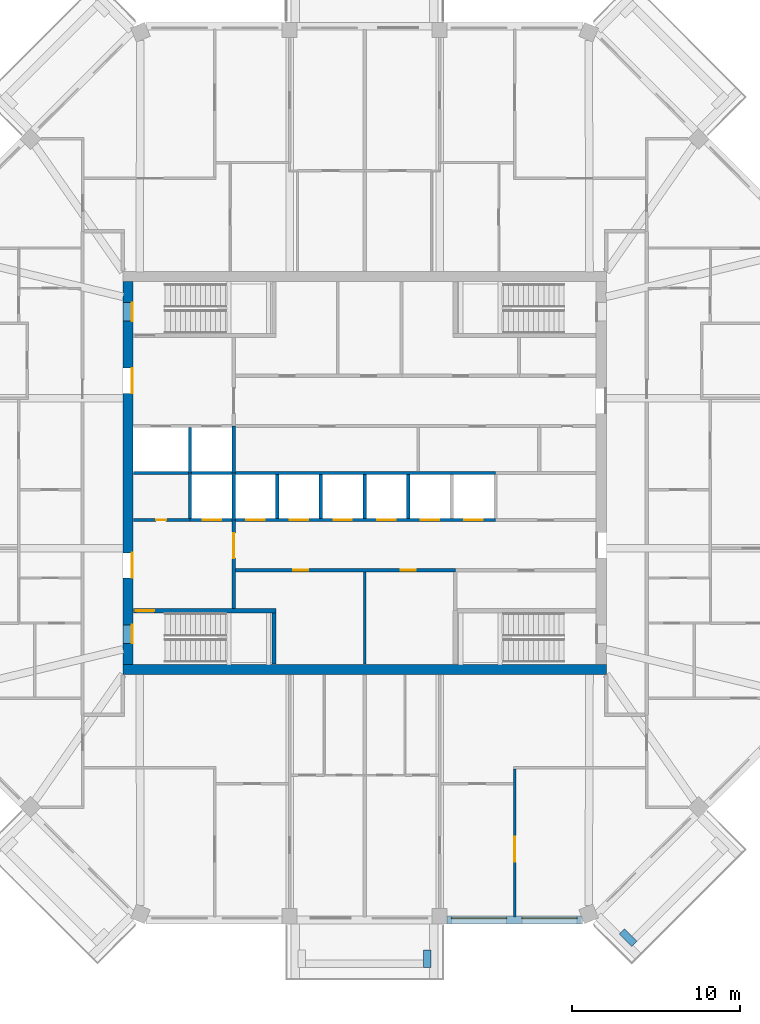
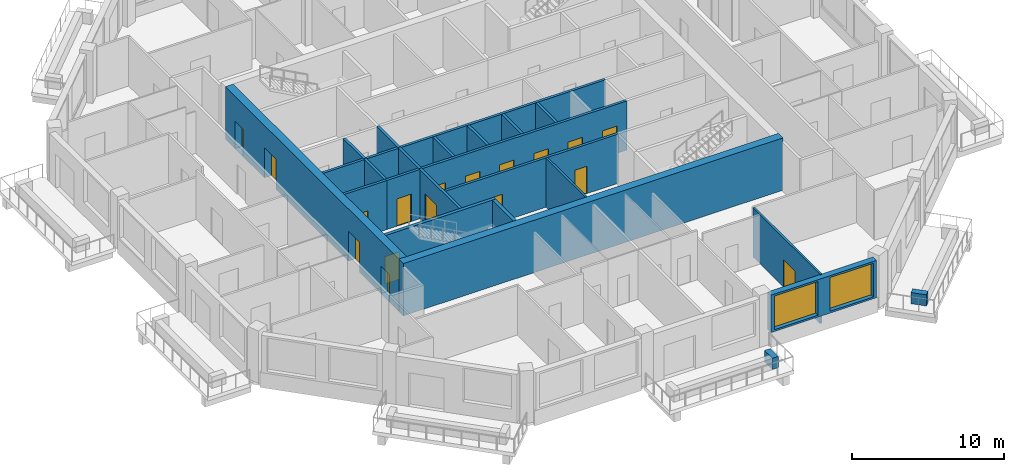
# One storey, part 4 of 12: 22 walls, 17 doors, 2 windows, 19 openings.
"""IFC4 building model written with IfcOpenShell, lengths in metres."""

from ifc_helpers import new_model, si_unit, direction, frame, frame_2d, origin, place, context, subcontext, project, spatial, rectangle, extrude, material, layer, layer_set, type_object, element, fill, save


model = new_model("IFC4")

# Units and contexts
model_context = context("Model", 3, precision=1e-05, world=origin(), true_north=direction((0.0, 1.0)))
body_context = subcontext(model_context, "Body", "Model", "MODEL_VIEW")
ifc_project = project(units=[si_unit("LENGTHUNIT", "METRE"), si_unit("AREAUNIT", "SQUARE_METRE"), si_unit("VOLUMEUNIT", "CUBIC_METRE"), si_unit("PLANEANGLEUNIT", "RADIAN"), si_unit("MASSUNIT", "GRAM", prefix="KILO")], contexts=[model_context])

# Site, building, storey
site_placement = place(None, origin())
site = spatial("IfcSite", under=ifc_project, at=site_placement, CompositionType="ELEMENT")
building_placement = place(site_placement, origin())
building = spatial("IfcBuilding", under=site, at=building_placement, Name="Msitu Wima Residences", CompositionType="ELEMENT")
storey_placement = place(building_placement, frame((0.0, 0.0, 239.10009765625)))
storey = spatial("IfcBuildingStorey", under=building, at=storey_placement, Name="L55", CompositionType="ELEMENT", Elevation=239.10009765625)

# Walls
ifc_material_1 = material(Name="Facing brick")
ifc_layer_1 = layer(ifc_material_1, 0.06494140625, Name="Facing brick")
ifc_material_2 = material(Name="Concrete C40/50", Category="concrete")
ifc_layer_2 = layer(ifc_material_2, 0.156005859375, Name="Concrete C40/50")
ifc_material_3 = material(Name="Waterproofing membrane")
ifc_layer_3 = layer(ifc_material_3, 0.00390625, Name="Waterproofing membrane")
ifc_material_4 = material(Name="Planting soil and planting")
ifc_layer_4 = layer(ifc_material_4, 0.22509765625, Name="Planting soil and planting")
ifc_layer_set_1 = layer_set([ifc_layer_1, ifc_layer_2, ifc_layer_3, ifc_layer_4], Name="Concrete C40/50")
wall_type_1 = type_object("IfcWallType", Name="Balcony planter PLANTER PL450", PredefinedType="USERDEFINED", material=ifc_layer_set_1)
for number, where, z_axis, x_axis, name in (
    (1, (3.74365234375, -28.39990234375, 0.0), (0.0, 0.0, 1.0), (0.0, -1.0, 0.0), "Balcony planter S1 L55"),
    (2, (15.332763671875, -27.301513671875, 0.0), (0.0, 0.0, 1.0), (0.707106781187, -0.707106781187, 0.0), "Balcony planter SE0 L55"),
):
    element("IfcWall", number, at=place(storey_placement, frame(where, z_axis=z_axis, x_axis=x_axis)), inside=storey, type_object=wall_type_1, Name=name, ObjectType="PLANTER", PredefinedType="USERDEFINED", context=body_context, shape_type="SweptSolid", body=[
        extrude(rectangle(XDim=1.050048828125, YDim=0.449951171875, at=frame_2d((0.52490234375, 0.0))), origin(), (0.0, 0.0, 1.0), 0.89990234375),
    ])

# Wall, openings, windows
ifc_material_5 = material(Name="Brick (red buff mix)", Category="masonry")
ifc_layer_5 = layer(ifc_material_5, 0.449951171875)
ifc_layer_set_2 = layer_set([ifc_layer_5], Name="Brick (red buff mix)")
wall_type_2 = type_object("IfcWallType", Name="Brick infill wall BW450", PredefinedType="SOLIDWALL", material=ifc_layer_set_2)
wall_1_placement = place(storey_placement, frame((4.918701171875, -26.625, 0.89990234375), z_axis=(0.0, 0.0, 1.0), x_axis=(1.0, 0.0, 0.0)))
wall_1 = element("IfcWall", 3, at=wall_1_placement, inside=storey, type_object=wall_type_2, Name="Brick infill wall L55 S2", PredefinedType="SOLIDWALL", context=body_context, shape_type="SweptSolid", body=[
    extrude(rectangle(XDim=8.0, YDim=0.449951171875, at=frame_2d((4.0, 0.0))), origin(), (0.0, 0.0, 1.0), 3.0),
])
opening_1_placement = place(wall_1_placement, frame((0.25, 0.0, 0.14990234375)))
opening_1 = element("IfcOpeningElement", 4, at=opening_1_placement, cuts=wall_1, Name="Opening W55-56.019", PredefinedType="OPENING", context=body_context, shape_type="SweptSolid", body=[
    extrude(rectangle(XDim=3.300048828125, YDim=2.699951171875, at=frame_2d((1.64990234375, 1.35009765625))), frame((0.0, 0.23486328125, 0.0), z_axis=(0.0, -1.0, 0.0), x_axis=(1.0, 0.0, 0.0)), (0.0, 0.0, 1.0), 0.469970703125),
])
opening_2_placement = place(wall_1_placement, frame((4.4501953125, 0.0, 0.14990234375)))
opening_2 = element("IfcOpeningElement", 5, at=opening_2_placement, cuts=wall_1, Name="Opening W55-56.020", PredefinedType="OPENING", context=body_context, shape_type="SweptSolid", body=[
    extrude(rectangle(XDim=3.300048828125, YDim=2.699951171875, at=frame_2d((1.64990234375, 1.35009765625))), frame((0.0, 0.23486328125, 0.0), z_axis=(0.0, -1.0, 0.0), x_axis=(1.0, 0.0, 0.0)), (0.0, 0.0, 1.0), 0.469970703125),
])
ifc_material_6 = material(Name="Anodised aluminium, bronze finish, clear low-emissivity double glazing", Category="aluminium")
window_type = type_object("IfcWindowType", Name="Window W3300x2700", PartitioningType="DOUBLE_PANEL_VERTICAL", PredefinedType="WINDOW", material=ifc_material_6)
window_1_placement = place(opening_1_placement, origin())
window_1 = element("IfcWindow", 6, at=window_1_placement, inside=storey, type_object=window_type, Name="Window L55 S2.1", OverallHeight=2.699951171875, OverallWidth=3.300048828125, PartitioningType="SINGLE_PANEL", PredefinedType="WINDOW", context=body_context, shape_type="SweptSolid", body=[
    extrude(rectangle(XDim=3.300048828125, YDim=2.699951171875, at=frame_2d((1.64990234375, 1.35009765625))), frame((0.0, 0.135009765625, 0.0), z_axis=(0.0, -1.0, 0.0), x_axis=(1.0, 0.0, 0.0)), (0.0, 0.0, 1.0), 0.06005859375),
])
fill(opening_1, window_1)
window_2_placement = place(opening_2_placement, origin())
window_2 = element("IfcWindow", 7, at=window_2_placement, inside=storey, type_object=window_type, Name="Window L55 S2.2", OverallHeight=2.699951171875, OverallWidth=3.300048828125, PartitioningType="SINGLE_PANEL", PredefinedType="WINDOW", context=body_context, shape_type="SweptSolid", body=[
    extrude(rectangle(XDim=3.300048828125, YDim=2.699951171875, at=frame_2d((1.64990234375, 1.35009765625))), frame((0.0, 0.135009765625, 0.0), z_axis=(0.0, -1.0, 0.0), x_axis=(1.0, 0.0, 0.0)), (0.0, 0.0, 1.0), 0.06005859375),
])
fill(opening_2, window_2)

# Wall
ifc_material_7 = material(Name="Concrete C50/60", Category="concrete")
ifc_layer_6 = layer(ifc_material_7, 0.60009765625)
ifc_layer_set_3 = layer_set([ifc_layer_6], Name="Concrete C50/60")
wall_type_3 = type_object("IfcWallType", Name="Core wall CW600 C50/60", PredefinedType="SHEAR", material=ifc_layer_set_3)
wall_2_placement = place(storey_placement, frame((-14.39990234375, -11.699951171875, 0.0), z_axis=(0.0, 0.0, 1.0), x_axis=(1.0, 0.0, 0.0)))
element("IfcWall", 8, at=wall_2_placement, inside=storey, type_object=wall_type_3, Name="Core wall", PredefinedType="SHEAR", context=body_context, shape_type="SweptSolid", body=[
    extrude(rectangle(XDim=28.7998046875, YDim=0.60009765625, at=frame_2d((14.39990234375, 0.0))), origin(), (0.0, 0.0, 1.0), 4.199951171875),
])

# Wall, openings, doors
wall_3_placement = place(storey_placement, frame((-14.10009765625, -11.39990234375, 0.0), z_axis=(0.0, 0.0, 1.0), x_axis=(0.0, 1.0, 0.0)))
wall_3 = element("IfcWall", 9, at=wall_3_placement, inside=storey, type_object=wall_type_3, Name="Core wall", PredefinedType="SHEAR", context=body_context, shape_type="SweptSolid", body=[
    extrude(rectangle(XDim=22.7998046875, YDim=0.60009765625, at=frame_2d((11.39990234375, 0.0))), origin(), (0.0, 0.0, 1.0), 4.199951171875),
])
opening_3_placement = place(wall_3_placement, frame((20.449951171875, 0.0, 0.0)))
opening_3 = element("IfcOpeningElement", 10, at=opening_3_placement, cuts=wall_3, Name="Opening D55-56.077", PredefinedType="OPENING", context=body_context, shape_type="SweptSolid", body=[
    extrude(rectangle(XDim=1.10009765625, YDim=2.199951171875, at=frame_2d((0.550048828125, 1.10009765625))), frame((0.0, 0.31005859375, 0.0), z_axis=(0.0, -1.0, 0.0), x_axis=(1.0, 0.0, 0.0)), (0.0, 0.0, 1.0), 0.6201171875),
])
opening_4_placement = place(wall_3_placement, frame((1.25, 0.0, 0.0)))
opening_4 = element("IfcOpeningElement", 11, at=opening_4_placement, cuts=wall_3, Name="Opening D55-56.079", PredefinedType="OPENING", context=body_context, shape_type="SweptSolid", body=[
    extrude(rectangle(XDim=1.10009765625, YDim=2.199951171875, at=frame_2d((0.550048828125, 1.10009765625))), frame((0.0, 0.31005859375, 0.0), z_axis=(0.0, -1.0, 0.0), x_axis=(1.0, 0.0, 0.0)), (0.0, 0.0, 1.0), 0.6201171875),
])
opening_5_placement = place(wall_3_placement, frame((16.14990234375, 0.0, 0.0)))
opening_5 = element("IfcOpeningElement", 12, at=opening_5_placement, cuts=wall_3, Name="Opening D55-56.060", PredefinedType="OPENING", context=body_context, shape_type="SweptSolid", body=[
    extrude(rectangle(XDim=1.5, YDim=2.39990234375, at=frame_2d((0.75, 1.199951171875))), frame((0.0, 0.31005859375, 0.0), z_axis=(0.0, -1.0, 0.0), x_axis=(1.0, 0.0, 0.0)), (0.0, 0.0, 1.0), 0.6201171875),
])
opening_6_placement = place(wall_3_placement, frame((5.14990234375, 0.0, 0.0)))
opening_6 = element("IfcOpeningElement", 13, at=opening_6_placement, cuts=wall_3, Name="Opening D55-56.062", PredefinedType="OPENING", context=body_context, shape_type="SweptSolid", body=[
    extrude(rectangle(XDim=1.5, YDim=2.39990234375, at=frame_2d((0.75, 1.199951171875))), frame((0.0, 0.31005859375, 0.0), z_axis=(0.0, -1.0, 0.0), x_axis=(1.0, 0.0, 0.0)), (0.0, 0.0, 1.0), 0.6201171875),
])
ifc_material_8 = material(Name="Steel framed glazed door, fire resisting", Category="steel")
door_type_1 = type_object("IfcDoorType", Name="Lobby door D07 1500x2400", OperationType="DOUBLE_DOOR_SINGLE_SWING", PredefinedType="DOOR", material=ifc_material_8)
door_1_placement = place(opening_5_placement, origin())
door_1 = element("IfcDoor", 14, at=door_1_placement, inside=storey, type_object=door_type_1, Name="Lobby door", OperationType="DOUBLE_DOOR_SINGLE_SWING", OverallHeight=2.39990234375, OverallWidth=1.5, PredefinedType="DOOR", context=body_context, shape_type="SweptSolid", body=[
    extrude(rectangle(XDim=1.5, YDim=2.39990234375, at=frame_2d((0.75, 1.199951171875))), frame((0.0, -0.2451171875, 0.0), z_axis=(0.0, -1.0, 0.0), x_axis=(1.0, 0.0, 0.0)), (0.0, 0.0, 1.0), 0.050048828125),
])
fill(opening_5, door_1)
door_2_placement = place(opening_6_placement, origin())
door_2 = element("IfcDoor", 15, at=door_2_placement, inside=storey, type_object=door_type_1, Name="Lobby door", OperationType="DOUBLE_DOOR_SINGLE_SWING", OverallHeight=2.39990234375, OverallWidth=1.5, PredefinedType="DOOR", context=body_context, shape_type="SweptSolid", body=[
    extrude(rectangle(XDim=1.5, YDim=2.39990234375, at=frame_2d((0.75, 1.199951171875))), frame((0.0, -0.2451171875, 0.0), z_axis=(0.0, -1.0, 0.0), x_axis=(1.0, 0.0, 0.0)), (0.0, 0.0, 1.0), 0.050048828125),
])
fill(opening_6, door_2)
ifc_material_9 = material(Name="Steel door, fire resisting, panic bar", Category="steel")
door_type_2 = type_object("IfcDoorType", Name="Stair door D06 1100x2200", OperationType="SINGLE_SWING_LEFT", PredefinedType="DOOR", material=ifc_material_9)
door_3_placement = place(opening_3_placement, origin())
door_3 = element("IfcDoor", 16, at=door_3_placement, inside=storey, type_object=door_type_2, Name="Stair door", OperationType="SINGLE_SWING_RIGHT", OverallHeight=2.199951171875, OverallWidth=1.10009765625, PredefinedType="DOOR", context=body_context, shape_type="SweptSolid", body=[
    extrude(rectangle(XDim=1.10009765625, YDim=2.199951171875, at=frame_2d((0.550048828125, 1.10009765625))), frame((0.0, -0.2451171875, 0.0), z_axis=(0.0, -1.0, 0.0), x_axis=(1.0, 0.0, 0.0)), (0.0, 0.0, 1.0), 0.050048828125),
])
fill(opening_3, door_3)
door_4_placement = place(opening_4_placement, origin())
door_4 = element("IfcDoor", 17, at=door_4_placement, inside=storey, type_object=door_type_2, Name="Stair door", OperationType="SINGLE_SWING_LEFT", OverallHeight=2.199951171875, OverallWidth=1.10009765625, PredefinedType="DOOR", context=body_context, shape_type="SweptSolid", body=[
    extrude(rectangle(XDim=1.10009765625, YDim=2.199951171875, at=frame_2d((0.550048828125, 1.10009765625))), frame((0.0, -0.2451171875, 0.0), z_axis=(0.0, -1.0, 0.0), x_axis=(1.0, 0.0, 0.0)), (0.0, 0.0, 1.0), 0.050048828125),
])
fill(opening_4, door_4)

# Wall, opening, door
ifc_material_10 = material(Name="Plaster")
ifc_layer_7 = layer(ifc_material_10, 0.011962890625, Name="Plaster")
ifc_material_11 = material(Name="Concrete blockwork", Category="masonry")
ifc_layer_8 = layer(ifc_material_11, 0.176025390625, Name="Concrete blockwork")
ifc_layer_9 = layer(ifc_material_10, 0.011962890625, Name="Plaster")
ifc_layer_set_4 = layer_set([ifc_layer_7, ifc_layer_8, ifc_layer_9], Name="Concrete blockwork")
wall_type_4 = type_object("IfcWallType", Name="Corridor wall FW200", PredefinedType="PARTITIONING", material=ifc_layer_set_4)
wall_4_placement = place(storey_placement, frame((-7.800048828125, -8.074951171875, 0.0), z_axis=(0.0, 0.0, 1.0), x_axis=(0.0, 1.0, 0.0)))
wall_4 = element("IfcWall", 18, at=wall_4_placement, inside=storey, type_object=wall_type_4, Name="Corridor wall", PredefinedType="PARTITIONING", context=body_context, shape_type="SweptSolid", body=[
    extrude(rectangle(XDim=5.27490234375, YDim=0.199951171875, at=frame_2d((2.637451171875, 0.0))), origin(), (0.0, 0.0, 1.0), 3.949951171875),
])
opening_7_placement = place(wall_4_placement, frame((3.0, 0.0, 0.0)))
opening_7 = element("IfcOpeningElement", 19, at=opening_7_placement, cuts=wall_4, Name="Opening D55-56.063", PredefinedType="OPENING", context=body_context, shape_type="SweptSolid", body=[
    extrude(rectangle(XDim=1.5, YDim=2.39990234375, at=frame_2d((0.75, 1.199951171875))), frame((0.0, 0.10986328125, 0.0), z_axis=(0.0, -1.0, 0.0), x_axis=(1.0, 0.0, 0.0)), (0.0, 0.0, 1.0), 0.219970703125),
])
door_5_placement = place(opening_7_placement, origin())
door_5 = element("IfcDoor", 20, at=door_5_placement, inside=storey, type_object=door_type_1, Name="Lobby door", OperationType="DOUBLE_DOOR_SINGLE_SWING", OverallHeight=2.39990234375, OverallWidth=1.5, PredefinedType="DOOR", context=body_context, shape_type="SweptSolid", body=[
    extrude(rectangle(XDim=1.5, YDim=2.39990234375, at=frame_2d((0.75, 1.199951171875))), frame((0.0, 0.02490234375, 0.0), z_axis=(0.0, -1.0, 0.0), x_axis=(1.0, 0.0, 0.0)), (0.0, 0.0, 1.0), 0.050048828125),
])
fill(opening_7, door_5)

# Wall, openings, doors
wall_5_placement = place(storey_placement, frame((-7.699951171875, -5.800048828125, 0.0), z_axis=(0.0, 0.0, 1.0), x_axis=(1.0, 0.0, 0.0)))
wall_5 = element("IfcWall", 21, at=wall_5_placement, inside=storey, type_object=wall_type_4, Name="Corridor wall", PredefinedType="PARTITIONING", context=body_context, shape_type="SweptSolid", body=[
    extrude(rectangle(XDim=13.119873046875, YDim=0.199951171875, at=frame_2d((6.56005859375, 0.0))), origin(), (0.0, 0.0, 1.0), 3.949951171875),
])
opening_8_placement = place(wall_5_placement, frame((3.449951171875, 0.0, 0.0)))
opening_8 = element("IfcOpeningElement", 22, at=opening_8_placement, cuts=wall_5, Name="Opening D55-56.068", PredefinedType="OPENING", context=body_context, shape_type="SweptSolid", body=[
    extrude(rectangle(XDim=0.89990234375, YDim=2.199951171875, at=frame_2d((0.449951171875, 1.10009765625))), frame((0.0, 0.10986328125, 0.0), z_axis=(0.0, -1.0, 0.0), x_axis=(1.0, 0.0, 0.0)), (0.0, 0.0, 1.0), 0.219970703125),
])
opening_9_placement = place(wall_5_placement, frame((9.85009765625, 0.0, 0.0)))
opening_9 = element("IfcOpeningElement", 23, at=opening_9_placement, cuts=wall_5, Name="Opening D55-56.069", PredefinedType="OPENING", context=body_context, shape_type="SweptSolid", body=[
    extrude(rectangle(XDim=0.89990234375, YDim=2.199951171875, at=frame_2d((0.449951171875, 1.10009765625))), frame((0.0, 0.10986328125, 0.0), z_axis=(0.0, -1.0, 0.0), x_axis=(1.0, 0.0, 0.0)), (0.0, 0.0, 1.0), 0.219970703125),
])
ifc_material_12 = material(Name="Timber flush door", Category="wood")
door_type_3 = type_object("IfcDoorType", Name="Service door D05 900x2200", OperationType="SINGLE_SWING_LEFT", PredefinedType="DOOR", material=ifc_material_12)
door_6_placement = place(opening_8_placement, origin())
door_6 = element("IfcDoor", 24, at=door_6_placement, inside=storey, type_object=door_type_3, Name="Service door", OperationType="SINGLE_SWING_RIGHT", OverallHeight=2.199951171875, OverallWidth=0.89990234375, PredefinedType="DOOR", context=body_context, shape_type="SweptSolid", body=[
    extrude(rectangle(XDim=0.89990234375, YDim=2.199951171875, at=frame_2d((0.449951171875, 1.10009765625))), frame((0.0, 0.02490234375, 0.0), z_axis=(0.0, -1.0, 0.0), x_axis=(1.0, 0.0, 0.0)), (0.0, 0.0, 1.0), 0.050048828125),
])
fill(opening_8, door_6)
door_7_placement = place(opening_9_placement, origin())
door_7 = element("IfcDoor", 25, at=door_7_placement, inside=storey, type_object=door_type_3, Name="Service door", OperationType="SINGLE_SWING_RIGHT", OverallHeight=2.199951171875, OverallWidth=0.89990234375, PredefinedType="DOOR", context=body_context, shape_type="SweptSolid", body=[
    extrude(rectangle(XDim=0.89990234375, YDim=2.199951171875, at=frame_2d((0.449951171875, 1.10009765625))), frame((0.0, 0.02490234375, 0.0), z_axis=(0.0, -1.0, 0.0), x_axis=(1.0, 0.0, 0.0)), (0.0, 0.0, 1.0), 0.050048828125),
])
fill(opening_9, door_7)

# Wall
ifc_layer_10 = layer(ifc_material_10, 0.011962890625, Name="Plaster")
ifc_layer_11 = layer(ifc_material_11, 0.1259765625, Name="Concrete blockwork")
ifc_layer_12 = layer(ifc_material_10, 0.011962890625, Name="Plaster")
ifc_layer_set_5 = layer_set([ifc_layer_10, ifc_layer_11, ifc_layer_12], Name="Concrete blockwork")
wall_type_5 = type_object("IfcWallType", Name="Partition PW150", PredefinedType="PARTITIONING", material=ifc_layer_set_5)
wall_6_placement = place(storey_placement, frame((0.0, -11.3701171875, 0.0), z_axis=(0.0, 0.0, 1.0), x_axis=(0.0, 1.0, 0.0)))
element("IfcWall", 26, at=wall_6_placement, inside=storey, type_object=wall_type_5, Name="Partition", PredefinedType="PARTITIONING", context=body_context, shape_type="SweptSolid", body=[
    extrude(rectangle(XDim=5.47021484375, YDim=0.14990234375, at=frame_2d((2.735107421875, 0.0))), origin(), (0.0, 0.0, 1.0), 3.949951171875),
])

# Wall, opening, door
wall_7_placement = place(storey_placement, frame((8.937255859375, -26.455078125, 0.0), z_axis=(0.0, 0.0, 1.0), x_axis=(0.0, 1.0, 0.0)))
wall_7 = element("IfcWall", 27, at=wall_7_placement, inside=storey, type_object=wall_type_5, Name="Partition", PredefinedType="PARTITIONING", context=body_context, shape_type="SweptSolid", body=[
    extrude(rectangle(XDim=8.830078125, YDim=0.14990234375, at=frame_2d((4.4150390625, 0.0))), origin(), (0.0, 0.0, 1.0), 3.949951171875),
])
opening_10_placement = place(wall_7_placement, frame((3.300048828125, 0.0, 0.0)))
opening_10 = element("IfcOpeningElement", 28, at=opening_10_placement, cuts=wall_7, Name="Opening D55-56.022", PredefinedType="OPENING", context=body_context, shape_type="SweptSolid", body=[
    extrude(rectangle(XDim=1.5, YDim=2.199951171875, at=frame_2d((0.75, 1.10009765625))), frame((0.0, 0.0849609375, 0.0), z_axis=(0.0, -1.0, 0.0), x_axis=(1.0, 0.0, 0.0)), (0.0, 0.0, 1.0), 0.169921875),
])
ifc_material_13 = material(Name="Timber double door", Category="wood")
door_type_4 = type_object("IfcDoorType", Name="Double door D04 1500x2200", OperationType="DOUBLE_DOOR_SINGLE_SWING", PredefinedType="DOOR", material=ifc_material_13)
door_8_placement = place(opening_10_placement, origin())
door_8 = element("IfcDoor", 29, at=door_8_placement, inside=storey, type_object=door_type_4, Name="Double door", OperationType="DOUBLE_DOOR_SINGLE_SWING", OverallHeight=2.199951171875, OverallWidth=1.5, PredefinedType="DOOR", context=body_context, shape_type="SweptSolid", body=[
    extrude(rectangle(XDim=1.5, YDim=2.199951171875, at=frame_2d((0.75, 1.10009765625))), frame((0.0, 0.02490234375, 0.0), z_axis=(0.0, -1.0, 0.0), x_axis=(1.0, 0.0, 0.0)), (0.0, 0.0, 1.0), 0.050048828125),
])
fill(opening_10, door_8)

ifc_layer_13 = layer(ifc_material_10, 0.011962890625, Name="Plaster")
ifc_material_14 = material(Name="Reinforced concrete blockwork", Category="masonry")
ifc_layer_14 = layer(ifc_material_14, 0.176025390625, Name="Reinforced concrete blockwork")
ifc_layer_15 = layer(ifc_material_10, 0.011962890625, Name="Plaster")
ifc_layer_set_6 = layer_set([ifc_layer_13, ifc_layer_14, ifc_layer_15], Name="Reinforced concrete blockwork")
wall_type_6 = type_object("IfcWallType", Name="Plant and riser wall PL200", PredefinedType="PARTITIONING", material=ifc_layer_set_6)
wall_8_placement = place(storey_placement, frame((-13.77001953125, -2.800048828125, 0.0), z_axis=(0.0, 0.0, 1.0), x_axis=(1.0, 0.0, 0.0)))
wall_8 = element("IfcWall", 30, at=wall_8_placement, inside=storey, type_object=wall_type_6, Name="Plant and riser wall", PredefinedType="PARTITIONING", context=body_context, shape_type="SweptSolid", body=[
    extrude(rectangle(XDim=3.3701171875, YDim=0.199951171875, at=frame_2d((1.68505859375, 0.0))), origin(), (0.0, 0.0, 1.0), 3.949951171875),
])
opening_11_placement = place(wall_8_placement, frame((1.35009765625, 0.0, 0.0)))
opening_11 = element("IfcOpeningElement", 31, at=opening_11_placement, cuts=wall_8, Name="Opening D55-56.076", PredefinedType="OPENING", context=body_context, shape_type="SweptSolid", body=[
    extrude(rectangle(XDim=0.60009765625, YDim=2.0, at=frame_2d((0.300048828125, 1.0))), frame((0.0, 0.10986328125, 0.0), z_axis=(0.0, -1.0, 0.0), x_axis=(1.0, 0.0, 0.0)), (0.0, 0.0, 1.0), 0.219970703125),
])
ifc_material_15 = material(Name="Steel access door, fire resisting", Category="steel")
door_type_5 = type_object("IfcDoorType", Name="Riser access door D08 600x2000", OperationType="SINGLE_SWING_LEFT", PredefinedType="DOOR", material=ifc_material_15)
door_9_placement = place(opening_11_placement, origin())
door_9 = element("IfcDoor", 32, at=door_9_placement, inside=storey, type_object=door_type_5, Name="Riser access door", OperationType="SINGLE_SWING_RIGHT", OverallHeight=2.0, OverallWidth=0.60009765625, PredefinedType="DOOR", context=body_context, shape_type="SweptSolid", body=[
    extrude(rectangle(XDim=0.60009765625, YDim=2.0, at=frame_2d((0.300048828125, 1.0))), frame((0.0, 0.02490234375, 0.0), z_axis=(0.0, -1.0, 0.0), x_axis=(1.0, 0.0, 0.0)), (0.0, 0.0, 1.0), 0.050048828125),
])
fill(opening_11, door_9)

# Walls
ifc_material_16 = material(Name="Fire-rated board")
ifc_layer_16 = layer(ifc_material_16, 0.02490234375, Name="Fire-rated board")
ifc_material_17 = material(Name="Light-gauge stud framing with mineral wool")
ifc_layer_17 = layer(ifc_material_17, 0.14990234375, Name="Light-gauge stud framing with mineral wool")
ifc_layer_18 = layer(ifc_material_16, 0.02490234375, Name="Fire-rated board")
ifc_layer_set_7 = layer_set([ifc_layer_16, ifc_layer_17, ifc_layer_18], Name="Light-gauge stud framing with mineral wool")
wall_type_7 = type_object("IfcWallType", Name="Shaft wall SH200", PredefinedType="PARTITIONING", material=ifc_layer_set_7)
wall_9_placement = place(storey_placement, frame((-13.77001953125, 0.0, 0.0), z_axis=(0.0, 0.0, 1.0), x_axis=(1.0, 0.0, 0.0)))
element("IfcWall", 33, at=wall_9_placement, inside=storey, type_object=wall_type_7, Name="Shaft wall", PredefinedType="PARTITIONING", context=body_context, shape_type="SweptSolid", body=[
    extrude(rectangle(XDim=21.570068359375, YDim=0.199951171875, at=frame_2d((10.78515625, 0.0))), origin(), (0.0, 0.0, 1.0), 3.949951171875),
])
wall_10_placement = place(storey_placement, frame((-10.39990234375, -2.699951171875, 0.0), z_axis=(0.0, 0.0, 1.0), x_axis=(0.0, 1.0, 0.0)))
element("IfcWall", 34, at=wall_10_placement, inside=storey, type_object=wall_type_7, Name="Shaft wall", PredefinedType="PARTITIONING", context=body_context, shape_type="SweptSolid", body=[
    extrude(rectangle(XDim=2.699951171875, YDim=0.199951171875, at=frame_2d((1.35009765625, 0.0))), origin(), (0.0, 0.0, 1.0), 3.949951171875),
])

# Wall, openings, doors
wall_11_placement = place(storey_placement, frame((-10.39990234375, -2.800048828125, 0.0), z_axis=(0.0, 0.0, 1.0), x_axis=(1.0, 0.0, 0.0)))
wall_11 = element("IfcWall", 35, at=wall_11_placement, inside=storey, type_object=wall_type_7, Name="Shaft wall", PredefinedType="PARTITIONING", context=body_context, shape_type="SweptSolid", body=[
    extrude(rectangle(XDim=18.199951171875, YDim=0.199951171875, at=frame_2d((9.10009765625, 0.0))), origin(), (0.0, 0.0, 1.0), 3.949951171875),
])
opening_12_placement = place(wall_11_placement, frame((0.75, 0.0, 0.0)))
opening_12 = element("IfcOpeningElement", 36, at=opening_12_placement, cuts=wall_11, Name="Opening LD", PredefinedType="OPENING", context=body_context, shape_type="SweptSolid", body=[
    extrude(rectangle(XDim=1.10009765625, YDim=2.199951171875, at=frame_2d((0.550048828125, 1.10009765625))), frame((0.0, 0.10986328125, 0.0), z_axis=(0.0, -1.0, 0.0), x_axis=(1.0, 0.0, 0.0)), (0.0, 0.0, 1.0), 0.219970703125),
])
opening_13_placement = place(wall_11_placement, frame((3.35009765625, 0.0, 0.0)))
opening_13 = element("IfcOpeningElement", 37, at=opening_13_placement, cuts=wall_11, Name="Opening LD", PredefinedType="OPENING", context=body_context, shape_type="SweptSolid", body=[
    extrude(rectangle(XDim=1.10009765625, YDim=2.199951171875, at=frame_2d((0.550048828125, 1.10009765625))), frame((0.0, 0.10986328125, 0.0), z_axis=(0.0, -1.0, 0.0), x_axis=(1.0, 0.0, 0.0)), (0.0, 0.0, 1.0), 0.219970703125),
])
opening_14_placement = place(wall_11_placement, frame((5.949951171875, 0.0, 0.0)))
opening_14 = element("IfcOpeningElement", 38, at=opening_14_placement, cuts=wall_11, Name="Opening LD", PredefinedType="OPENING", context=body_context, shape_type="SweptSolid", body=[
    extrude(rectangle(XDim=1.10009765625, YDim=2.199951171875, at=frame_2d((0.550048828125, 1.10009765625))), frame((0.0, 0.10986328125, 0.0), z_axis=(0.0, -1.0, 0.0), x_axis=(1.0, 0.0, 0.0)), (0.0, 0.0, 1.0), 0.219970703125),
])
opening_15_placement = place(wall_11_placement, frame((8.550048828125, 0.0, 0.0)))
opening_15 = element("IfcOpeningElement", 39, at=opening_15_placement, cuts=wall_11, Name="Opening LD", PredefinedType="OPENING", context=body_context, shape_type="SweptSolid", body=[
    extrude(rectangle(XDim=1.10009765625, YDim=2.199951171875, at=frame_2d((0.550048828125, 1.10009765625))), frame((0.0, 0.10986328125, 0.0), z_axis=(0.0, -1.0, 0.0), x_axis=(1.0, 0.0, 0.0)), (0.0, 0.0, 1.0), 0.219970703125),
])
opening_16_placement = place(wall_11_placement, frame((11.14990234375, 0.0, 0.0)))
opening_16 = element("IfcOpeningElement", 40, at=opening_16_placement, cuts=wall_11, Name="Opening LD", PredefinedType="OPENING", context=body_context, shape_type="SweptSolid", body=[
    extrude(rectangle(XDim=1.10009765625, YDim=2.199951171875, at=frame_2d((0.550048828125, 1.10009765625))), frame((0.0, 0.10986328125, 0.0), z_axis=(0.0, -1.0, 0.0), x_axis=(1.0, 0.0, 0.0)), (0.0, 0.0, 1.0), 0.219970703125),
])
opening_17_placement = place(wall_11_placement, frame((13.75, 0.0, 0.0)))
opening_17 = element("IfcOpeningElement", 41, at=opening_17_placement, cuts=wall_11, Name="Opening LD", PredefinedType="OPENING", context=body_context, shape_type="SweptSolid", body=[
    extrude(rectangle(XDim=1.10009765625, YDim=2.199951171875, at=frame_2d((0.550048828125, 1.10009765625))), frame((0.0, 0.10986328125, 0.0), z_axis=(0.0, -1.0, 0.0), x_axis=(1.0, 0.0, 0.0)), (0.0, 0.0, 1.0), 0.219970703125),
])
opening_18_placement = place(wall_11_placement, frame((16.35009765625, 0.0, 0.0)))
opening_18 = element("IfcOpeningElement", 42, at=opening_18_placement, cuts=wall_11, Name="Opening LD", PredefinedType="OPENING", context=body_context, shape_type="SweptSolid", body=[
    extrude(rectangle(XDim=1.10009765625, YDim=2.199951171875, at=frame_2d((0.550048828125, 1.10009765625))), frame((0.0, 0.10986328125, 0.0), z_axis=(0.0, -1.0, 0.0), x_axis=(1.0, 0.0, 0.0)), (0.0, 0.0, 1.0), 0.219970703125),
])
ifc_material_18 = material(Name="Stainless steel centre-opening landing door, rated", Category="steel")
door_type_6 = type_object("IfcDoorType", Name="Lift landing door LD 1100x2200", OperationType="DOUBLE_DOOR_SLIDING", PredefinedType="DOOR", material=ifc_material_18)
door_10_placement = place(opening_12_placement, origin())
door_10 = element("IfcDoor", 43, at=door_10_placement, inside=storey, type_object=door_type_6, Name="Lift landing door LD3", OperationType="DOUBLE_DOOR_SLIDING", OverallHeight=2.199951171875, OverallWidth=1.10009765625, PredefinedType="DOOR", context=body_context, shape_type="SweptSolid", body=[
    extrude(rectangle(XDim=1.10009765625, YDim=2.199951171875, at=frame_2d((0.550048828125, 1.10009765625))), frame((0.0, 0.02490234375, 0.0), z_axis=(0.0, -1.0, 0.0), x_axis=(1.0, 0.0, 0.0)), (0.0, 0.0, 1.0), 0.050048828125),
])
fill(opening_12, door_10)
door_11_placement = place(opening_13_placement, origin())
door_11 = element("IfcDoor", 44, at=door_11_placement, inside=storey, type_object=door_type_6, Name="Lift landing door LD5", OperationType="DOUBLE_DOOR_SLIDING", OverallHeight=2.199951171875, OverallWidth=1.10009765625, PredefinedType="DOOR", context=body_context, shape_type="SweptSolid", body=[
    extrude(rectangle(XDim=1.10009765625, YDim=2.199951171875, at=frame_2d((0.550048828125, 1.10009765625))), frame((0.0, 0.02490234375, 0.0), z_axis=(0.0, -1.0, 0.0), x_axis=(1.0, 0.0, 0.0)), (0.0, 0.0, 1.0), 0.050048828125),
])
fill(opening_13, door_11)
door_12_placement = place(opening_14_placement, origin())
door_12 = element("IfcDoor", 45, at=door_12_placement, inside=storey, type_object=door_type_6, Name="Lift landing door LD7", OperationType="DOUBLE_DOOR_SLIDING", OverallHeight=2.199951171875, OverallWidth=1.10009765625, PredefinedType="DOOR", context=body_context, shape_type="SweptSolid", body=[
    extrude(rectangle(XDim=1.10009765625, YDim=2.199951171875, at=frame_2d((0.550048828125, 1.10009765625))), frame((0.0, 0.02490234375, 0.0), z_axis=(0.0, -1.0, 0.0), x_axis=(1.0, 0.0, 0.0)), (0.0, 0.0, 1.0), 0.050048828125),
])
fill(opening_14, door_12)
door_13_placement = place(opening_15_placement, origin())
door_13 = element("IfcDoor", 46, at=door_13_placement, inside=storey, type_object=door_type_6, Name="Lift landing door LD9", OperationType="DOUBLE_DOOR_SLIDING", OverallHeight=2.199951171875, OverallWidth=1.10009765625, PredefinedType="DOOR", context=body_context, shape_type="SweptSolid", body=[
    extrude(rectangle(XDim=1.10009765625, YDim=2.199951171875, at=frame_2d((0.550048828125, 1.10009765625))), frame((0.0, 0.02490234375, 0.0), z_axis=(0.0, -1.0, 0.0), x_axis=(1.0, 0.0, 0.0)), (0.0, 0.0, 1.0), 0.050048828125),
])
fill(opening_15, door_13)
door_14_placement = place(opening_16_placement, origin())
door_14 = element("IfcDoor", 47, at=door_14_placement, inside=storey, type_object=door_type_6, Name="Lift landing door LD11", OperationType="DOUBLE_DOOR_SLIDING", OverallHeight=2.199951171875, OverallWidth=1.10009765625, PredefinedType="DOOR", context=body_context, shape_type="SweptSolid", body=[
    extrude(rectangle(XDim=1.10009765625, YDim=2.199951171875, at=frame_2d((0.550048828125, 1.10009765625))), frame((0.0, 0.02490234375, 0.0), z_axis=(0.0, -1.0, 0.0), x_axis=(1.0, 0.0, 0.0)), (0.0, 0.0, 1.0), 0.050048828125),
])
fill(opening_16, door_14)
door_15_placement = place(opening_17_placement, origin())
door_15 = element("IfcDoor", 48, at=door_15_placement, inside=storey, type_object=door_type_6, Name="Lift landing door LD13", OperationType="DOUBLE_DOOR_SLIDING", OverallHeight=2.199951171875, OverallWidth=1.10009765625, PredefinedType="DOOR", context=body_context, shape_type="SweptSolid", body=[
    extrude(rectangle(XDim=1.10009765625, YDim=2.199951171875, at=frame_2d((0.550048828125, 1.10009765625))), frame((0.0, 0.02490234375, 0.0), z_axis=(0.0, -1.0, 0.0), x_axis=(1.0, 0.0, 0.0)), (0.0, 0.0, 1.0), 0.050048828125),
])
fill(opening_17, door_15)
door_16_placement = place(opening_18_placement, origin())
door_16 = element("IfcDoor", 49, at=door_16_placement, inside=storey, type_object=door_type_6, Name="Lift landing door LD15", OperationType="DOUBLE_DOOR_SLIDING", OverallHeight=2.199951171875, OverallWidth=1.10009765625, PredefinedType="DOOR", context=body_context, shape_type="SweptSolid", body=[
    extrude(rectangle(XDim=1.10009765625, YDim=2.199951171875, at=frame_2d((0.550048828125, 1.10009765625))), frame((0.0, 0.02490234375, 0.0), z_axis=(0.0, -1.0, 0.0), x_axis=(1.0, 0.0, 0.0)), (0.0, 0.0, 1.0), 0.050048828125),
])
fill(opening_18, door_16)

# Walls
wall_12_placement = place(storey_placement, frame((-10.39990234375, 0.0, 0.0), z_axis=(0.0, 0.0, 1.0), x_axis=(0.0, 1.0, 0.0)))
element("IfcWall", 50, at=wall_12_placement, inside=storey, type_object=wall_type_7, Name="Shaft wall", PredefinedType="PARTITIONING", context=body_context, shape_type="SweptSolid", body=[
    extrude(rectangle(XDim=2.699951171875, YDim=0.199951171875, at=frame_2d((1.35009765625, 0.0))), origin(), (0.0, 0.0, 1.0), 3.949951171875),
])
for number, where, z_axis, x_axis, name in (
    (51, (-7.800048828125, -2.800048828125, 0.0), (0.0, 0.0, 1.0), (0.0, 1.0, 0.0), "Shaft wall"),
    (52, (-7.800048828125, 0.0, 0.0), (0.0, 0.0, 1.0), (0.0, 1.0, 0.0), "Shaft wall"),
):
    element("IfcWall", number, at=place(storey_placement, frame(where, z_axis=z_axis, x_axis=x_axis)), inside=storey, type_object=wall_type_7, Name=name, PredefinedType="PARTITIONING", context=body_context, shape_type="SweptSolid", body=[
        extrude(rectangle(XDim=2.800048828125, YDim=0.199951171875, at=frame_2d((1.39990234375, 0.0))), origin(), (0.0, 0.0, 1.0), 3.949951171875),
    ])
for number, where, z_axis, x_axis, name in (
    (53, (-5.199951171875, -2.699951171875, 0.0), (0.0, 0.0, 1.0), (0.0, 1.0, 0.0), "Shaft wall"),
    (54, (-2.60009765625, -2.699951171875, 0.0), (0.0, 0.0, 1.0), (0.0, 1.0, 0.0), "Shaft wall"),
    (55, (0.0, -2.699951171875, 0.0), (0.0, 0.0, 1.0), (0.0, 1.0, 0.0), "Shaft wall"),
    (56, (2.60009765625, -2.699951171875, 0.0), (0.0, 0.0, 1.0), (0.0, 1.0, 0.0), "Shaft wall"),
):
    element("IfcWall", number, at=place(storey_placement, frame(where, z_axis=z_axis, x_axis=x_axis)), inside=storey, type_object=wall_type_7, Name=name, PredefinedType="PARTITIONING", context=body_context, shape_type="SweptSolid", body=[
        extrude(rectangle(XDim=2.599853515625, YDim=0.199951171875, at=frame_2d((1.2998046875, 0.0))), origin(), (0.0, 0.0, 1.0), 3.949951171875),
    ])

# Wall, opening, door
ifc_layer_19 = layer(ifc_material_7, 0.25)
ifc_layer_set_8 = layer_set([ifc_layer_19], Name="Concrete C50/60")
wall_type_8 = type_object("IfcWallType", Name="Stair enclosure wall SW250", PredefinedType="SHEAR", material=ifc_layer_set_8)
wall_13_placement = place(storey_placement, frame((-13.77001953125, -8.199951171875, 0.0), z_axis=(0.0, 0.0, 1.0), x_axis=(1.0, 0.0, 0.0)))
wall_13 = element("IfcWall", 57, at=wall_13_placement, inside=storey, type_object=wall_type_8, Name="Stair enclosure wall", PredefinedType="SHEAR", context=body_context, shape_type="SweptSolid", body=[
    extrude(rectangle(XDim=8.4951171875, YDim=0.25, at=frame_2d((4.24755859375, 0.0))), origin(), (0.0, 0.0, 1.0), 3.949951171875),
])
opening_19_placement = place(wall_13_placement, frame((0.14990234375, 0.0, 0.0)))
opening_19 = element("IfcOpeningElement", 58, at=opening_19_placement, cuts=wall_13, Name="Opening D55-56.080", PredefinedType="OPENING", context=body_context, shape_type="SweptSolid", body=[
    extrude(rectangle(XDim=1.10009765625, YDim=2.199951171875, at=frame_2d((0.550048828125, 1.10009765625))), frame((0.0, 0.135009765625, 0.0), z_axis=(0.0, -1.0, 0.0), x_axis=(1.0, 0.0, 0.0)), (0.0, 0.0, 1.0), 0.27001953125),
])
door_17_placement = place(opening_19_placement, origin())
door_17 = element("IfcDoor", 59, at=door_17_placement, inside=storey, type_object=door_type_2, Name="Stair door", OperationType="SINGLE_SWING_RIGHT", OverallHeight=2.199951171875, OverallWidth=1.10009765625, PredefinedType="DOOR", context=body_context, shape_type="SweptSolid", body=[
    extrude(rectangle(XDim=1.10009765625, YDim=2.199951171875, at=frame_2d((0.550048828125, 1.10009765625))), frame((0.0, 0.02490234375, 0.0), z_axis=(0.0, -1.0, 0.0), x_axis=(1.0, 0.0, 0.0)), (0.0, 0.0, 1.0), 0.050048828125),
])
fill(opening_19, door_17)

# Wall
wall_14_placement = place(storey_placement, frame((-5.39990234375, -11.3701171875, 0.0), z_axis=(0.0, 0.0, 1.0), x_axis=(0.0, 1.0, 0.0)))
element("IfcWall", 60, at=wall_14_placement, inside=storey, type_object=wall_type_8, Name="Stair enclosure wall", PredefinedType="SHEAR", context=body_context, shape_type="SweptSolid", body=[
    extrude(rectangle(XDim=3.045166015625, YDim=0.25, at=frame_2d((1.5224609375, 0.0))), origin(), (0.0, 0.0, 1.0), 3.949951171875),
])

save(model, "model.ifc")
